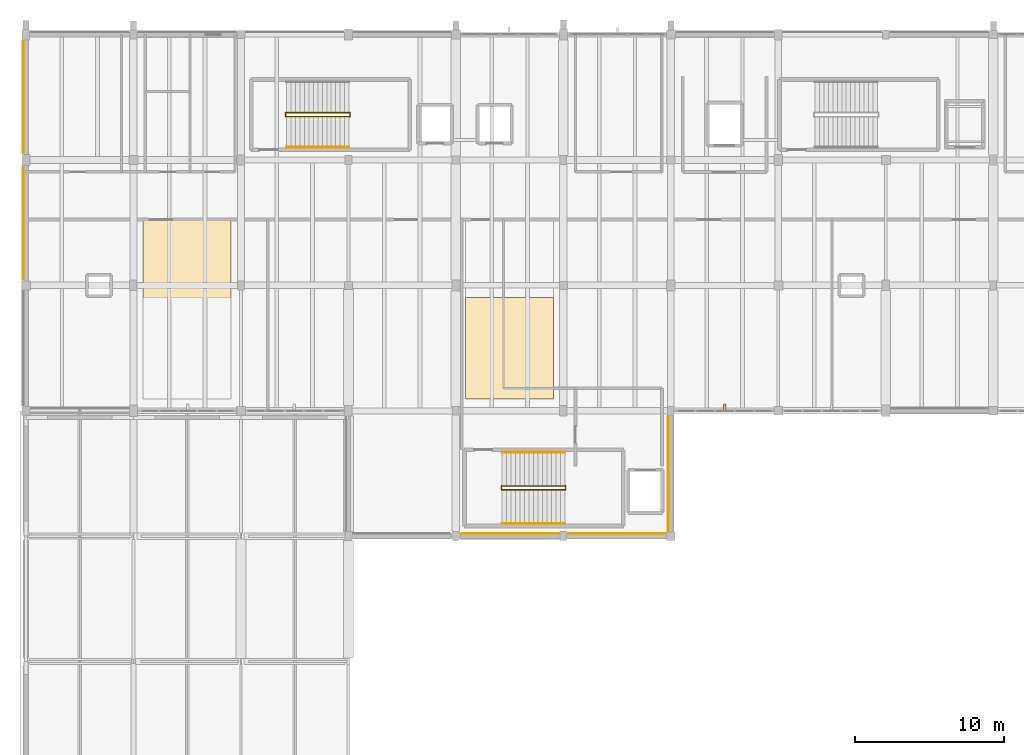
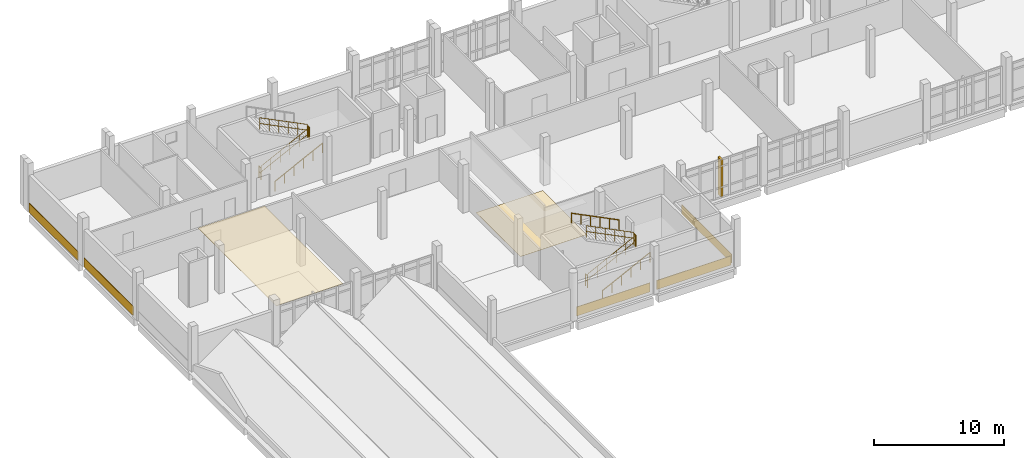
# One storey, part 38 of 41: 11 railings, 7 coverings, 1 shading device.
"""IFC4 building model written with IfcOpenShell, lengths in metres."""

from ifc_helpers import new_model, si_unit, direction, frame, origin, origin_2d, place, context, subcontext, project, spatial, polyline, rectangle, circle, outline, extrude, material, layer, layer_set, type_object, element, save


model = new_model("IFC4")

# Units and contexts
model_context = context("Model", 3, precision=1e-05, world=origin(), true_north=direction((0.0, 1.0)))
body_context = subcontext(model_context, "Body", "Model", "MODEL_VIEW")
ifc_project = project(units=[si_unit("LENGTHUNIT", "METRE"), si_unit("AREAUNIT", "SQUARE_METRE"), si_unit("VOLUMEUNIT", "CUBIC_METRE"), si_unit("PLANEANGLEUNIT", "RADIAN"), si_unit("MASSUNIT", "GRAM", prefix="KILO")], contexts=[model_context])

# Site, building, storey
site_placement = place(None, origin())
site = spatial("IfcSite", under=ifc_project, at=site_placement, CompositionType="ELEMENT")
building_placement = place(site_placement, origin())
building = spatial("IfcBuilding", under=site, at=building_placement, Name="Kalluvel Institute of Natural Sciences", CompositionType="ELEMENT")
storey_placement = place(building_placement, frame((0.0, 0.0, 32.39990234375)))
storey = spatial("IfcBuildingStorey", under=building, at=storey_placement, Name="L07", CompositionType="ELEMENT", Elevation=32.39990234375)

# Coverings
ifc_material_1 = material(Name="Perforated Mineral-Fibre Acoustic Tile", Category="gypsum")
ifc_layer_1 = layer(ifc_material_1, 0.02490234375)
ifc_layer_set_1 = layer_set([ifc_layer_1], Name="Perforated Mineral-Fibre Acoustic Tile")
covering_type_1 = type_object("IfcCoveringType", Name="COV-CEIL-600", PredefinedType="CEILING", material=ifc_layer_set_1)
covering_1_placement = place(storey_placement, frame((0.0, 0.0, 2.9501953125)))
element("IfcCovering", 1, at=covering_1_placement, inside=storey, type_object=covering_type_1, Name="L07 laboratory acoustic ceiling panel 15", PredefinedType="CEILING", context=body_context, shape_type="SweptSolid", body=[
    extrude(outline(polyline([(21.85009765625, 103.60009765625), (27.75, 103.60009765625), (27.75, 115.60009765625), (21.85009765625, 115.60009765625), (21.85009765625, 103.60009765625)])), origin(), (0.0, 0.0, 1.0), 0.02490234375),
])
ifc_material_2 = material(Name="Sadarahalli Grey Granite Ashlar Concrete M40", Category="masonry")
ifc_layer_2 = layer(ifc_material_2, 0.044921875)
ifc_layer_set_2 = layer_set([ifc_layer_2], Name="Sadarahalli Grey Granite Ashlar Concrete M40")
covering_type_2 = type_object("IfcCoveringType", Name="COV-CLAD-STONE", PredefinedType="CLADDING", material=ifc_layer_set_2)
covering_2_placement = place(storey_placement, frame((13.820068359375, 115.362548828125, 0.025146484375), z_axis=(0.0, 0.0, 1.0), x_axis=(0.0, 1.0, 0.0)))
element("IfcCovering", 2, at=covering_2_placement, inside=storey, type_object=covering_type_2, Name="L07 Sadarahalli granite plinth spandrel cladding 93", PredefinedType="CLADDING", context=body_context, shape_type="SweptSolid", body=[
    extrude(rectangle(XDim=7.56494140625, YDim=0.044921875, at=origin_2d()), origin(), (0.0, 0.0, 1.0), 0.85009765625),
])
covering_3_placement = place(storey_placement, frame((13.820068359375, 123.8125, 0.025146484375), z_axis=(0.0, 0.0, 1.0), x_axis=(0.0, 1.0, 0.0)))
element("IfcCovering", 3, at=covering_3_placement, inside=storey, type_object=covering_type_2, Name="L07 Sadarahalli granite plinth spandrel cladding 94", PredefinedType="CLADDING", context=body_context, shape_type="SweptSolid", body=[
    extrude(rectangle(XDim=7.514892578125, YDim=0.044921875, at=origin_2d()), origin(), (0.0, 0.0, 1.0), 0.85009765625),
])
covering_4_placement = place(storey_placement, frame((46.449951171875, 94.570068359375, 0.025146484375), z_axis=(0.0, 0.0, 1.0), x_axis=(1.0, 0.0, 0.0)))
element("IfcCovering", 4, at=covering_4_placement, inside=storey, type_object=covering_type_2, Name="L07 Sadarahalli granite plinth spandrel cladding 120", PredefinedType="CLADDING", context=body_context, shape_type="SweptSolid", body=[
    extrude(rectangle(XDim=6.489990234375, YDim=0.044921875, at=origin_2d()), origin(), (0.0, 0.0, 1.0), 0.85009765625),
])
covering_5_placement = place(storey_placement, frame((53.574951171875, 94.570068359375, 0.025146484375), z_axis=(0.0, 0.0, 1.0), x_axis=(1.0, 0.0, 0.0)))
element("IfcCovering", 5, at=covering_5_placement, inside=storey, type_object=covering_type_2, Name="L07 Sadarahalli granite plinth spandrel cladding 121", PredefinedType="CLADDING", context=body_context, shape_type="SweptSolid", body=[
    extrude(rectangle(XDim=6.5400390625, YDim=0.044921875, at=origin_2d()), origin(), (0.0, 0.0, 1.0), 0.85009765625),
])
covering_6_placement = place(storey_placement, frame((57.030029296875, 98.58740234375, 0.025146484375), z_axis=(0.0, 0.0, 1.0), x_axis=(0.0, 1.0, 0.0)))
element("IfcCovering", 6, at=covering_6_placement, inside=storey, type_object=covering_type_2, Name="L07 Sadarahalli granite plinth spandrel cladding 122", PredefinedType="CLADDING", context=body_context, shape_type="SweptSolid", body=[
    extrude(rectangle(XDim=7.6650390625, YDim=0.044921875, at=origin_2d()), origin(), (0.0, 0.0, 1.0), 0.85009765625),
])
ifc_material_3 = material(Name="Seamless Chemical-Resistant Epoxy Flooring", Category="resin")
ifc_layer_3 = layer(ifc_material_3, 0.014892578125)
ifc_layer_set_3 = layer_set([ifc_layer_3], Name="Seamless Chemical-Resistant Epoxy Flooring")
covering_type_3 = type_object("IfcCoveringType", Name="COV-FLR-EPOXY", PredefinedType="FLOORING", material=ifc_layer_set_3)
covering_7_placement = place(storey_placement, origin())
element("IfcCovering", 7, at=covering_7_placement, inside=storey, type_object=covering_type_3, Name="L07 seamless epoxy laboratory floor finish 16", PredefinedType="FLOORING", context=body_context, shape_type="SweptSolid", body=[
    extrude(outline(polyline([(43.449951171875, 103.60009765625), (49.35009765625, 103.60009765625), (49.35009765625, 110.39990234375), (43.449951171875, 110.39990234375), (43.449951171875, 103.60009765625)])), origin(), (0.0, 0.0, 1.0), 0.01513671875),
])

# Railings
ifc_material_4 = material(Name="Galvanized Fire-Rated Steel", Category="steel")
railing_type_1 = type_object("IfcRailingType", Name="RL-GD-STAIR", PredefinedType="BALUSTRADE", material=ifc_material_4)
railing_1_placement = place(storey_placement, frame((31.449951171875, 122.510009765625, 0.150146484375)))
element("IfcRailing", 8, at=railing_1_placement, inside=storey, type_object=railing_type_1, Name="L07 ST1 stair guard 1", PredefinedType="BALUSTRADE", context=body_context, shape_type="SweptSolid", body=[
    extrude(circle(Radius=0.02392578125, at=origin_2d()), frame((0.0, 0.0, 1.09619140625), z_axis=(0.894437589381, 0.0, 0.447192798132), x_axis=(0.0, 1.0, 0.0)), (0.0, 0.0, 1.0), 4.695556640625),
    extrude(circle(Radius=0.02392578125, at=origin_2d()), frame((0.0, 0.0, 0.56005859375), z_axis=(0.894437589381, 0.0, 0.447192798132), x_axis=(0.0, 1.0, 0.0)), (0.0, 0.0, 1.0), 4.695556640625),
    extrude(circle(Radius=0.02099609375, at=origin_2d()), origin(), (0.0, 0.0, 1.0), 1.072021484375),
    extrude(circle(Radius=0.02099609375, at=origin_2d()), frame((0.840087890625, 0.0, 0.419921875)), (0.0, 0.0, 1.0), 1.072021484375),
    extrude(circle(Radius=0.02099609375, at=origin_2d()), frame((1.679931640625, 0.0, 0.83984375)), (0.0, 0.0, 1.0), 1.072021484375),
    extrude(circle(Radius=0.02099609375, at=origin_2d()), frame((2.52001953125, 0.0, 1.260009765625)), (0.0, 0.0, 1.0), 1.072021484375),
    extrude(circle(Radius=0.02099609375, at=origin_2d()), frame((3.35986328125, 0.0, 1.679931640625)), (0.0, 0.0, 1.0), 1.072021484375),
    extrude(circle(Radius=0.02099609375, at=origin_2d()), frame((4.199951171875, 0.0, 2.099853515625)), (0.0, 0.0, 1.0), 1.072021484375),
])
railing_2_placement = place(storey_placement, frame((35.699951171875, 122.4951171875, 2.25)))
element("IfcRailing", 9, at=railing_2_placement, inside=storey, type_object=railing_type_1, Name="L07 ST1 stair guard 2", PredefinedType="BALUSTRADE", context=body_context, shape_type="SweptSolid", body=[
    extrude(circle(Radius=0.02392578125, at=origin_2d()), frame((0.0, 0.0, 1.09619140625), z_axis=(0.0, 1.0, 0.0), x_axis=(-1.0, 0.0, 0.0)), (0.0, 0.0, 1.0), 0.27978515625),
    extrude(circle(Radius=0.02392578125, at=origin_2d()), frame((0.0, 0.0, 0.56005859375), z_axis=(0.0, 1.0, 0.0), x_axis=(-1.0, 0.0, 0.0)), (0.0, 0.0, 1.0), 0.27978515625),
    extrude(circle(Radius=0.02099609375, at=origin_2d()), origin(), (0.0, 0.0, 1.0), 1.072021484375),
    extrude(circle(Radius=0.02099609375, at=origin_2d()), frame((0.0, 0.27978515625, 0.0)), (0.0, 0.0, 1.0), 1.072021484375),
])
railing_3_placement = place(storey_placement, frame((35.64990234375, 122.760009765625, 2.400146484375)))
element("IfcRailing", 10, at=railing_3_placement, inside=storey, type_object=railing_type_1, Name="L07 ST1 stair guard 3", PredefinedType="BALUSTRADE", context=body_context, shape_type="SweptSolid", body=[
    extrude(circle(Radius=0.02392578125, at=origin_2d()), frame((0.0, 0.0, 1.09619140625), z_axis=(-0.894437589381, 0.0, 0.447192798132), x_axis=(0.0, -1.0, 0.0)), (0.0, 0.0, 1.0), 4.695556640625),
    extrude(circle(Radius=0.02392578125, at=origin_2d()), frame((0.0, 0.0, 0.56005859375), z_axis=(-0.894437589381, 0.0, 0.447192798132), x_axis=(0.0, -1.0, 0.0)), (0.0, 0.0, 1.0), 4.695556640625),
    extrude(circle(Radius=0.02099609375, at=origin_2d()), origin(), (0.0, 0.0, 1.0), 1.072021484375),
    extrude(circle(Radius=0.02099609375, at=origin_2d()), frame((-0.840087890625, 0.0, 0.419921875)), (0.0, 0.0, 1.0), 1.072021484375),
    extrude(circle(Radius=0.02099609375, at=origin_2d()), frame((-1.679931640625, 0.0, 0.83984375)), (0.0, 0.0, 1.0), 1.072021484375),
    extrude(circle(Radius=0.02099609375, at=origin_2d()), frame((-2.52001953125, 0.0, 1.260009765625)), (0.0, 0.0, 1.0), 1.072021484375),
    extrude(circle(Radius=0.02099609375, at=origin_2d()), frame((-3.35986328125, 0.0, 1.679931640625)), (0.0, 0.0, 1.0), 1.072021484375),
    extrude(circle(Radius=0.02099609375, at=origin_2d()), frame((-4.199951171875, 0.0, 2.099853515625)), (0.0, 0.0, 1.0), 1.072021484375),
])
railing_4_placement = place(storey_placement, frame((31.39990234375, 122.4951171875, 0.0)))
element("IfcRailing", 11, at=railing_4_placement, inside=storey, type_object=railing_type_1, Name="L07 ST1 stair guard 4", PredefinedType="BALUSTRADE", context=body_context, shape_type="SweptSolid", body=[
    extrude(circle(Radius=0.02392578125, at=origin_2d()), frame((0.0, 0.0, 1.09619140625), z_axis=(0.0, 1.0, 0.0), x_axis=(-1.0, 0.0, 0.0)), (0.0, 0.0, 1.0), 0.27978515625),
    extrude(circle(Radius=0.02392578125, at=origin_2d()), frame((0.0, 0.0, 0.56005859375), z_axis=(0.0, 1.0, 0.0), x_axis=(-1.0, 0.0, 0.0)), (0.0, 0.0, 1.0), 0.27978515625),
    extrude(circle(Radius=0.02099609375, at=origin_2d()), origin(), (0.0, 0.0, 1.0), 1.072021484375),
    extrude(circle(Radius=0.02099609375, at=origin_2d()), frame((0.0, 0.27978515625, 0.0)), (0.0, 0.0, 1.0), 1.072021484375),
])
railing_5_placement = place(storey_placement, frame((45.89990234375, 97.510009765625, 0.150146484375)))
element("IfcRailing", 12, at=railing_5_placement, inside=storey, type_object=railing_type_1, Name="L07 ST3 stair guard 1", PredefinedType="BALUSTRADE", context=body_context, shape_type="SweptSolid", body=[
    extrude(circle(Radius=0.02392578125, at=origin_2d()), frame((0.0, 0.0, 1.09619140625), z_axis=(0.894447986312, 0.0, 0.447172002457), x_axis=(0.0, 1.0, 0.0)), (0.0, 0.0, 1.0), 4.69580078125),
    extrude(circle(Radius=0.02392578125, at=origin_2d()), frame((0.0, 0.0, 0.56005859375), z_axis=(0.894447986312, 0.0, 0.447172002457), x_axis=(0.0, 1.0, 0.0)), (0.0, 0.0, 1.0), 4.69580078125),
    extrude(circle(Radius=0.02099609375, at=origin_2d()), origin(), (0.0, 0.0, 1.0), 1.072021484375),
    extrude(circle(Radius=0.02099609375, at=origin_2d()), frame((0.840087890625, 0.0, 0.419921875)), (0.0, 0.0, 1.0), 1.072021484375),
    extrude(circle(Radius=0.02099609375, at=origin_2d()), frame((1.68017578125, 0.0, 0.83984375)), (0.0, 0.0, 1.0), 1.072021484375),
    extrude(circle(Radius=0.02099609375, at=origin_2d()), frame((2.52001953125, 0.0, 1.260009765625)), (0.0, 0.0, 1.0), 1.072021484375),
    extrude(circle(Radius=0.02099609375, at=origin_2d()), frame((3.360107421875, 0.0, 1.679931640625)), (0.0, 0.0, 1.0), 1.072021484375),
    extrude(circle(Radius=0.02099609375, at=origin_2d()), frame((4.2001953125, 0.0, 2.099853515625)), (0.0, 0.0, 1.0), 1.072021484375),
])
railing_6_placement = place(storey_placement, frame((50.14990234375, 97.4951171875, 2.25)))
element("IfcRailing", 13, at=railing_6_placement, inside=storey, type_object=railing_type_1, Name="L07 ST3 stair guard 2", PredefinedType="BALUSTRADE", context=body_context, shape_type="SweptSolid", body=[
    extrude(circle(Radius=0.02392578125, at=origin_2d()), frame((0.0, 0.0, 1.09619140625), z_axis=(0.0, 1.0, 0.0), x_axis=(-1.0, 0.0, 0.0)), (0.0, 0.0, 1.0), 0.27978515625),
    extrude(circle(Radius=0.02392578125, at=origin_2d()), frame((0.0, 0.0, 0.56005859375), z_axis=(0.0, 1.0, 0.0), x_axis=(-1.0, 0.0, 0.0)), (0.0, 0.0, 1.0), 0.27978515625),
    extrude(circle(Radius=0.02099609375, at=origin_2d()), origin(), (0.0, 0.0, 1.0), 1.072021484375),
    extrude(circle(Radius=0.02099609375, at=origin_2d()), frame((0.0, 0.27978515625, 0.0)), (0.0, 0.0, 1.0), 1.072021484375),
])
railing_7_placement = place(storey_placement, frame((50.10009765625, 97.760009765625, 2.400146484375)))
element("IfcRailing", 14, at=railing_7_placement, inside=storey, type_object=railing_type_1, Name="L07 ST3 stair guard 3", PredefinedType="BALUSTRADE", context=body_context, shape_type="SweptSolid", body=[
    extrude(circle(Radius=0.02392578125, at=origin_2d()), frame((0.0, 0.0, 1.09619140625), z_axis=(-0.894447986312, 0.0, 0.447172002457), x_axis=(0.0, -1.0, 0.0)), (0.0, 0.0, 1.0), 4.69580078125),
    extrude(circle(Radius=0.02392578125, at=origin_2d()), frame((0.0, 0.0, 0.56005859375), z_axis=(-0.894447986312, 0.0, 0.447172002457), x_axis=(0.0, -1.0, 0.0)), (0.0, 0.0, 1.0), 4.69580078125),
    extrude(circle(Radius=0.02099609375, at=origin_2d()), origin(), (0.0, 0.0, 1.0), 1.072021484375),
    extrude(circle(Radius=0.02099609375, at=origin_2d()), frame((-0.840087890625, 0.0, 0.419921875)), (0.0, 0.0, 1.0), 1.072021484375),
    extrude(circle(Radius=0.02099609375, at=origin_2d()), frame((-1.68017578125, 0.0, 0.83984375)), (0.0, 0.0, 1.0), 1.072021484375),
    extrude(circle(Radius=0.02099609375, at=origin_2d()), frame((-2.52001953125, 0.0, 1.260009765625)), (0.0, 0.0, 1.0), 1.072021484375),
    extrude(circle(Radius=0.02099609375, at=origin_2d()), frame((-3.360107421875, 0.0, 1.679931640625)), (0.0, 0.0, 1.0), 1.072021484375),
    extrude(circle(Radius=0.02099609375, at=origin_2d()), frame((-4.2001953125, 0.0, 2.099853515625)), (0.0, 0.0, 1.0), 1.072021484375),
])
railing_8_placement = place(storey_placement, frame((45.85009765625, 97.4951171875, 0.0)))
element("IfcRailing", 15, at=railing_8_placement, inside=storey, type_object=railing_type_1, Name="L07 ST3 stair guard 4", PredefinedType="BALUSTRADE", context=body_context, shape_type="SweptSolid", body=[
    extrude(circle(Radius=0.02392578125, at=origin_2d()), frame((0.0, 0.0, 1.09619140625), z_axis=(0.0, 1.0, 0.0), x_axis=(-1.0, 0.0, 0.0)), (0.0, 0.0, 1.0), 0.27978515625),
    extrude(circle(Radius=0.02392578125, at=origin_2d()), frame((0.0, 0.0, 0.56005859375), z_axis=(0.0, 1.0, 0.0), x_axis=(-1.0, 0.0, 0.0)), (0.0, 0.0, 1.0), 0.27978515625),
    extrude(circle(Radius=0.02099609375, at=origin_2d()), origin(), (0.0, 0.0, 1.0), 1.072021484375),
    extrude(circle(Radius=0.02099609375, at=origin_2d()), frame((0.0, 0.27978515625, 0.0)), (0.0, 0.0, 1.0), 1.072021484375),
])
railing_type_2 = type_object("IfcRailingType", Name="RL-HR-STAIR", PredefinedType="HANDRAIL", material=ifc_material_4)
railing_9_placement = place(storey_placement, frame((31.449951171875, 120.449951171875, 0.150146484375)))
element("IfcRailing", 16, at=railing_9_placement, inside=storey, type_object=railing_type_2, Name="L07 ST1 stair handrail 1", PredefinedType="HANDRAIL", context=body_context, shape_type="SweptSolid", body=[
    extrude(circle(Radius=0.02392578125, at=origin_2d()), frame((0.0, 0.0, 0.89599609375), z_axis=(0.894437589381, 0.0, 0.447192798132), x_axis=(0.0, 1.0, 0.0)), (0.0, 0.0, 1.0), 4.695556640625),
    extrude(circle(Radius=0.02099609375, at=origin_2d()), origin(), (0.0, 0.0, 1.0), 0.871826171875),
    extrude(circle(Radius=0.02099609375, at=origin_2d()), frame((0.840087890625, 0.0, 0.419921875)), (0.0, 0.0, 1.0), 0.871826171875),
    extrude(circle(Radius=0.02099609375, at=origin_2d()), frame((1.679931640625, 0.0, 0.83984375)), (0.0, 0.0, 1.0), 0.871826171875),
    extrude(circle(Radius=0.02099609375, at=origin_2d()), frame((2.52001953125, 0.0, 1.260009765625)), (0.0, 0.0, 1.0), 0.871826171875),
    extrude(circle(Radius=0.02099609375, at=origin_2d()), frame((3.35986328125, 0.0, 1.679931640625)), (0.0, 0.0, 1.0), 0.871826171875),
    extrude(circle(Radius=0.02099609375, at=origin_2d()), frame((4.199951171875, 0.0, 2.099853515625)), (0.0, 0.0, 1.0), 0.871826171875),
])
railing_10_placement = place(storey_placement, frame((45.89990234375, 95.25, 0.150146484375)))
element("IfcRailing", 17, at=railing_10_placement, inside=storey, type_object=railing_type_2, Name="L07 ST3 stair handrail 1", PredefinedType="HANDRAIL", context=body_context, shape_type="SweptSolid", body=[
    extrude(circle(Radius=0.02392578125, at=origin_2d()), frame((0.0, 0.0, 0.89599609375), z_axis=(0.894447986312, 0.0, 0.447172002457), x_axis=(0.0, 1.0, 0.0)), (0.0, 0.0, 1.0), 4.69580078125),
    extrude(circle(Radius=0.02099609375, at=origin_2d()), origin(), (0.0, 0.0, 1.0), 0.871826171875),
    extrude(circle(Radius=0.02099609375, at=origin_2d()), frame((0.840087890625, 0.0, 0.419921875)), (0.0, 0.0, 1.0), 0.871826171875),
    extrude(circle(Radius=0.02099609375, at=origin_2d()), frame((1.68017578125, 0.0, 0.83984375)), (0.0, 0.0, 1.0), 0.871826171875),
    extrude(circle(Radius=0.02099609375, at=origin_2d()), frame((2.52001953125, 0.0, 1.260009765625)), (0.0, 0.0, 1.0), 0.871826171875),
    extrude(circle(Radius=0.02099609375, at=origin_2d()), frame((3.360107421875, 0.0, 1.679931640625)), (0.0, 0.0, 1.0), 0.871826171875),
    extrude(circle(Radius=0.02099609375, at=origin_2d()), frame((4.2001953125, 0.0, 2.099853515625)), (0.0, 0.0, 1.0), 0.871826171875),
])
railing_11_placement = place(storey_placement, frame((50.10009765625, 100.02001953125, 2.400146484375)))
element("IfcRailing", 18, at=railing_11_placement, inside=storey, type_object=railing_type_2, Name="L07 ST3 stair handrail 2", PredefinedType="HANDRAIL", context=body_context, shape_type="SweptSolid", body=[
    extrude(circle(Radius=0.02392578125, at=origin_2d()), frame((0.0, 0.0, 0.89599609375), z_axis=(-0.894447986312, 0.0, 0.447172002457), x_axis=(0.0, -1.0, 0.0)), (0.0, 0.0, 1.0), 4.69580078125),
    extrude(circle(Radius=0.02099609375, at=origin_2d()), origin(), (0.0, 0.0, 1.0), 0.871826171875),
    extrude(circle(Radius=0.02099609375, at=origin_2d()), frame((-0.840087890625, 0.0, 0.419921875)), (0.0, 0.0, 1.0), 0.871826171875),
    extrude(circle(Radius=0.02099609375, at=origin_2d()), frame((-1.68017578125, 0.0, 0.83984375)), (0.0, 0.0, 1.0), 0.871826171875),
    extrude(circle(Radius=0.02099609375, at=origin_2d()), frame((-2.52001953125, 0.0, 1.260009765625)), (0.0, 0.0, 1.0), 0.871826171875),
    extrude(circle(Radius=0.02099609375, at=origin_2d()), frame((-3.360107421875, 0.0, 1.679931640625)), (0.0, 0.0, 1.0), 0.871826171875),
    extrude(circle(Radius=0.02099609375, at=origin_2d()), frame((-4.2001953125, 0.0, 2.099853515625)), (0.0, 0.0, 1.0), 0.871826171875),
])

# Shading device
shading_device_type = type_object("IfcShadingDeviceType", Name="SHD-FIN-STONE", PredefinedType="USERDEFINED", material=ifc_material_2)
shading_device_placement = place(storey_placement, frame((60.8125, 103.02001953125, 0.0), z_axis=(0.0, 0.0, 1.0), x_axis=(1.0, 0.0, 0.0)))
element("IfcShadingDevice", 19, at=shading_device_placement, inside=storey, type_object=shading_device_type, Name="L07 monsoon lancet shading fin 97", ObjectType="MONSOON FIN", PredefinedType="USERDEFINED", context=body_context, shape_type="SweptSolid", body=[
    extrude(rectangle(XDim=0.139892578125, YDim=0.47998046875, at=origin_2d()), origin(), (0.0, 0.0, 1.0), 3.530029296875),
])

save(model, "model.ifc")
